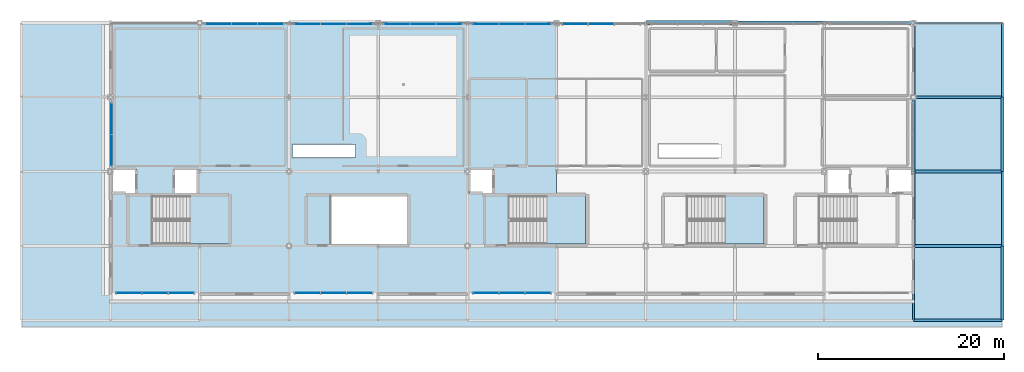
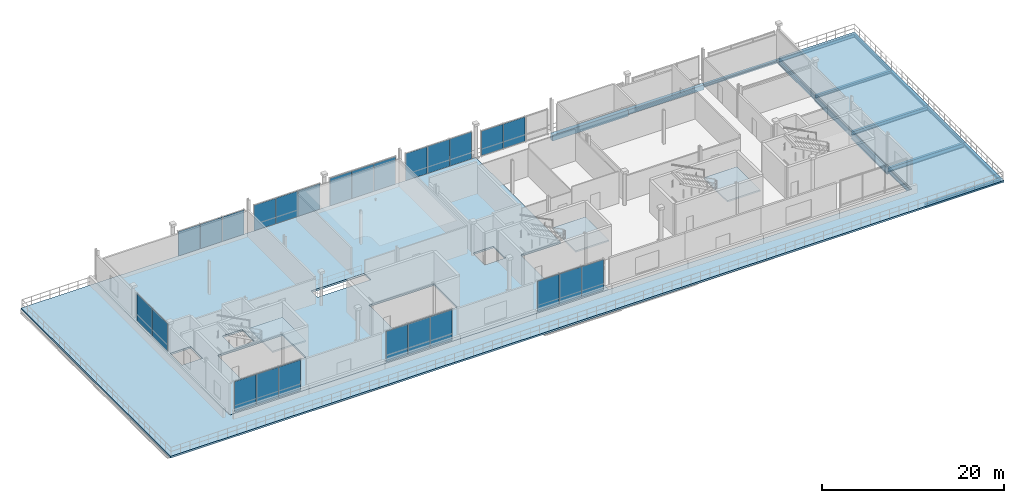
# One storey, part 14 of 26: 25 plates, 16 beams, 5 slabs, 12 elements without a shape of their own.
"""IFC4 building model written with IfcOpenShell, lengths in metres."""

from ifc_helpers import new_model, si_unit, direction, frame, origin, origin_2d, place, context, subcontext, project, spatial, polyline, rectangle, i_section, outline, extrude, material, layer, layer_set, material_profile, profile_set, type_object, element, aggregate, save


model = new_model("IFC4")

# Units and contexts
model_context = context("Model", 3, precision=1e-05, world=origin(), true_north=direction((0.0, 1.0)))
body_context = subcontext(model_context, "Body", "Model", "MODEL_VIEW")
ifc_project = project(units=[si_unit("LENGTHUNIT", "METRE"), si_unit("AREAUNIT", "SQUARE_METRE"), si_unit("VOLUMEUNIT", "CUBIC_METRE"), si_unit("PLANEANGLEUNIT", "RADIAN"), si_unit("MASSUNIT", "GRAM", prefix="KILO")], contexts=[model_context])

# Site, building, storey
site_placement = place(None, origin())
site = spatial("IfcSite", under=ifc_project, at=site_placement, CompositionType="ELEMENT")
building_placement = place(site_placement, origin())
building = spatial("IfcBuilding", under=site, at=building_placement, Name="Danafjord Basin Convention Centre", CompositionType="ELEMENT")
storey_placement = place(building_placement, frame((0.0, 0.0, 24.89990234375)))
storey = spatial("IfcBuildingStorey", under=building, at=storey_placement, Name="L05", CompositionType="ELEMENT", Elevation=24.89990234375)

# Beams
ifc_material_1 = material(Name="Steel S355", Category="steel")
ifc_material_profile_1 = material_profile(ifc_material_1, i_section(OverallWidth=0.300048828125, OverallDepth=0.389892578125, WebThickness=0.010986328125, FlangeThickness=0.01904296875, FilletRadius=0.027099609375, at=origin_2d()), Name="HEA 400")
ifc_profile_set_1 = profile_set([ifc_material_profile_1], Name="Steel S355")
beam_type_1 = type_object("IfcBeamType", Name="BEAM-BM-HEA400", PredefinedType="BEAM", material=ifc_profile_set_1)
beam_1_placement = place(storey_placement, frame((96.0, 32.0, -0.434814453125), z_axis=(1.0, 0.0, 0.0), x_axis=(0.0, 1.0, 0.0)))
element("IfcBeam", 1, at=beam_1_placement, inside=storey, type_object=beam_type_1, Name="L05 girder BM-HEA400", PredefinedType="BEAM", context=body_context, shape_type="SweptSolid", body=[
    extrude(i_section(OverallWidth=0.300048828125, OverallDepth=0.389892578125, WebThickness=0.010986328125, FlangeThickness=0.01904296875, FilletRadius=0.027099609375, at=origin_2d()), origin(), (0.0, 0.0, 1.0), 9.60009765625),
])
ifc_material_profile_2 = material_profile(ifc_material_1, i_section(OverallWidth=0.300048828125, OverallDepth=0.489990234375, WebThickness=0.011962890625, FlangeThickness=0.02294921875, FilletRadius=0.027099609375, at=origin_2d()), Name="HEA 500")
ifc_profile_set_2 = profile_set([ifc_material_profile_2], Name="Steel S355")
beam_type_2 = type_object("IfcBeamType", Name="BEAM-BM-HEA500", PredefinedType="BEAM", material=ifc_profile_set_2)
beam_2_placement = place(storey_placement, frame((96.0, 24.0, -0.48486328125), z_axis=(1.0, 0.0, 0.0), x_axis=(0.0, 1.0, 0.0)))
element("IfcBeam", 2, at=beam_2_placement, inside=storey, type_object=beam_type_2, Name="L05 girder BM-HEA500", PredefinedType="BEAM", context=body_context, shape_type="SweptSolid", body=[
    extrude(i_section(OverallWidth=0.300048828125, OverallDepth=0.489990234375, WebThickness=0.011962890625, FlangeThickness=0.02294921875, FilletRadius=0.027099609375, at=origin_2d()), origin(), (0.0, 0.0, 1.0), 9.60009765625),
])
ifc_material_profile_3 = material_profile(ifc_material_1, i_section(OverallWidth=0.300048828125, OverallDepth=0.590087890625, WebThickness=0.012939453125, FlangeThickness=0.02490234375, FilletRadius=0.027099609375, at=origin_2d()), Name="HEA 600")
ifc_profile_set_3 = profile_set([ifc_material_profile_3], Name="Steel S355")
beam_type_3 = type_object("IfcBeamType", Name="BEAM-BM-HEA600", PredefinedType="BEAM", material=ifc_profile_set_3)
beam_3_placement = place(storey_placement, frame((96.0, 16.0, -0.534912109375), z_axis=(1.0, 0.0, 0.0), x_axis=(0.0, 1.0, 0.0)))
element("IfcBeam", 3, at=beam_3_placement, inside=storey, type_object=beam_type_3, Name="L05 girder BM-HEA600", PredefinedType="BEAM", context=body_context, shape_type="SweptSolid", body=[
    extrude(i_section(OverallWidth=0.300048828125, OverallDepth=0.590087890625, WebThickness=0.012939453125, FlangeThickness=0.02490234375, FilletRadius=0.027099609375, at=origin_2d()), origin(), (0.0, 0.0, 1.0), 9.60009765625),
])
ifc_material_profile_4 = material_profile(ifc_material_1, i_section(OverallWidth=0.300048828125, OverallDepth=0.449951171875, WebThickness=0.013916015625, FlangeThickness=0.02587890625, FilletRadius=0.027099609375, at=origin_2d()), Name="HEB 450")
ifc_profile_set_4 = profile_set([ifc_material_profile_4], Name="Steel S355")
beam_type_4 = type_object("IfcBeamType", Name="BEAM-BM-HEB450", PredefinedType="BEAM", material=ifc_profile_set_4)
beam_4_placement = place(storey_placement, frame((96.0, 8.0, -0.46484375), z_axis=(1.0, 0.0, 0.0), x_axis=(0.0, 1.0, 0.0)))
element("IfcBeam", 4, at=beam_4_placement, inside=storey, type_object=beam_type_4, Name="L05 girder BM-HEB450", PredefinedType="BEAM", context=body_context, shape_type="SweptSolid", body=[
    extrude(i_section(OverallWidth=0.300048828125, OverallDepth=0.449951171875, WebThickness=0.013916015625, FlangeThickness=0.02587890625, FilletRadius=0.027099609375, at=origin_2d()), origin(), (0.0, 0.0, 1.0), 9.60009765625),
])
ifc_material_profile_5 = material_profile(ifc_material_1, i_section(OverallWidth=0.300048828125, OverallDepth=0.60009765625, WebThickness=0.015380859375, FlangeThickness=0.030029296875, FilletRadius=0.027099609375, at=origin_2d()), Name="HEB 600")
ifc_profile_set_5 = profile_set([ifc_material_profile_5], Name="Steel S355")
beam_type_5 = type_object("IfcBeamType", Name="BEAM-BM-HEB600", PredefinedType="BEAM", material=ifc_profile_set_5)
beam_5_placement = place(storey_placement, frame((96.0, 32.0, -0.5498046875), z_axis=(0.0, 1.0, 0.0), x_axis=(-1.0, 0.0, 0.0)))
element("IfcBeam", 5, at=beam_5_placement, inside=storey, type_object=beam_type_5, Name="L05 transverse girder BM-HEB600", PredefinedType="BEAM", context=body_context, shape_type="SweptSolid", body=[
    extrude(i_section(OverallWidth=0.300048828125, OverallDepth=0.60009765625, WebThickness=0.015380859375, FlangeThickness=0.030029296875, FilletRadius=0.027099609375, at=origin_2d()), origin(), (0.0, 0.0, 1.0), 8.0),
])
ifc_material_profile_6 = material_profile(ifc_material_1, i_section(OverallWidth=0.300048828125, OverallDepth=0.699951171875, WebThickness=0.01708984375, FlangeThickness=0.031982421875, FilletRadius=0.027099609375, at=origin_2d()), Name="HEB 700")
ifc_profile_set_6 = profile_set([ifc_material_profile_6], Name="Steel S355")
beam_type_6 = type_object("IfcBeamType", Name="BEAM-BM-HEB700", PredefinedType="BEAM", material=ifc_profile_set_6)
beam_6_placement = place(storey_placement, frame((96.0, 24.0, -0.599853515625), z_axis=(0.0, 1.0, 0.0), x_axis=(-1.0, 0.0, 0.0)))
element("IfcBeam", 6, at=beam_6_placement, inside=storey, type_object=beam_type_6, Name="L05 transverse girder BM-HEB700", PredefinedType="BEAM", context=body_context, shape_type="SweptSolid", body=[
    extrude(i_section(OverallWidth=0.300048828125, OverallDepth=0.699951171875, WebThickness=0.01708984375, FlangeThickness=0.031982421875, FilletRadius=0.027099609375, at=origin_2d()), origin(), (0.0, 0.0, 1.0), 8.0),
])
ifc_material_profile_7 = material_profile(ifc_material_1, i_section(OverallWidth=0.300048828125, OverallDepth=0.89990234375, WebThickness=0.0185546875, FlangeThickness=0.034912109375, FilletRadius=0.030029296875, at=origin_2d()), Name="HEB 900")
ifc_profile_set_7 = profile_set([ifc_material_profile_7], Name="Steel S355")
beam_type_7 = type_object("IfcBeamType", Name="BEAM-BM-HEB900", PredefinedType="BEAM", material=ifc_profile_set_7)
beam_7_placement = place(storey_placement, frame((96.0, 16.0, -0.699951171875), z_axis=(0.0, 1.0, 0.0), x_axis=(-1.0, 0.0, 0.0)))
element("IfcBeam", 7, at=beam_7_placement, inside=storey, type_object=beam_type_7, Name="L05 transverse girder BM-HEB900", PredefinedType="BEAM", context=body_context, shape_type="SweptSolid", body=[
    extrude(i_section(OverallWidth=0.300048828125, OverallDepth=0.89990234375, WebThickness=0.0185546875, FlangeThickness=0.034912109375, FilletRadius=0.030029296875, at=origin_2d()), origin(), (0.0, 0.0, 1.0), 8.0),
])
ifc_material_profile_8 = material_profile(ifc_material_1, i_section(OverallWidth=0.2099609375, OverallDepth=0.550048828125, WebThickness=0.010986328125, FlangeThickness=0.01708984375, FilletRadius=0.02392578125, at=origin_2d()), Name="IPE 550")
ifc_profile_set_8 = profile_set([ifc_material_profile_8], Name="Steel S355")
beam_type_8 = type_object("IfcBeamType", Name="BEAM-BM-IPE550", PredefinedType="BEAM", material=ifc_profile_set_8)
beam_8_placement = place(storey_placement, frame((96.0, 8.0, -0.52490234375), z_axis=(0.0, 1.0, 0.0), x_axis=(-1.0, 0.0, 0.0)))
element("IfcBeam", 8, at=beam_8_placement, inside=storey, type_object=beam_type_8, Name="L05 transverse girder BM-IPE550", PredefinedType="BEAM", context=body_context, shape_type="SweptSolid", body=[
    extrude(i_section(OverallWidth=0.2099609375, OverallDepth=0.550048828125, WebThickness=0.010986328125, FlangeThickness=0.01708984375, FilletRadius=0.02392578125, at=origin_2d()), origin(), (0.0, 0.0, 1.0), 8.0),
])
ifc_material_profile_9 = material_profile(ifc_material_1, i_section(OverallWidth=0.300048828125, OverallDepth=0.39990234375, WebThickness=0.013427734375, FlangeThickness=0.02392578125, FilletRadius=0.027099609375, at=origin_2d()), Name="HEB 400")
ifc_profile_set_9 = profile_set([ifc_material_profile_9], Name="Steel S355")
beam_type_9 = type_object("IfcBeamType", Name="BEAM-SP-HEB400", PredefinedType="SPANDREL", material=ifc_profile_set_9)
beam_9_placement = place(storey_placement, frame((86.39990234375, 40.0, -0.449951171875), z_axis=(1.0, 0.0, 0.0), x_axis=(0.0, 1.0, 0.0)))
element("IfcBeam", 9, at=beam_9_placement, inside=storey, type_object=beam_type_9, Name="L05 girder SP-HEB400", PredefinedType="SPANDREL", context=body_context, shape_type="SweptSolid", body=[
    extrude(i_section(OverallWidth=0.300048828125, OverallDepth=0.39990234375, WebThickness=0.013427734375, FlangeThickness=0.02392578125, FilletRadius=0.027099609375, at=origin_2d()), origin(), (0.0, 0.0, 1.0), 9.60009765625),
])
for number, where, z_axis, x_axis, name in (
    (10, (105.60009765625, 8.0, -0.43994140625), (0.0, 1.0, 0.0), (-1.0, 0.0, 0.0), "L05 transverse girder SP-HEB400"),
    (11, (105.60009765625, 24.0, -0.43994140625), (0.0, 1.0, 0.0), (-1.0, 0.0, 0.0), "L05 transverse girder SP-HEB400"),
):
    element("IfcBeam", number, at=place(storey_placement, frame(where, z_axis=z_axis, x_axis=x_axis)), inside=storey, type_object=beam_type_9, Name=name, PredefinedType="SPANDREL", context=body_context, shape_type="SweptSolid", body=[
        extrude(i_section(OverallWidth=0.300048828125, OverallDepth=0.39990234375, WebThickness=0.013427734375, FlangeThickness=0.02392578125, FilletRadius=0.027099609375, at=origin_2d()), origin(), (0.0, 0.0, 1.0), 8.0),
    ])
ifc_material_profile_10 = material_profile(ifc_material_1, i_section(OverallWidth=0.18994140625, OverallDepth=0.449951171875, WebThickness=0.009521484375, FlangeThickness=0.0146484375, FilletRadius=0.02099609375, at=origin_2d()), Name="IPE 450")
ifc_profile_set_10 = profile_set([ifc_material_profile_10], Name="Steel S355")
beam_type_10 = type_object("IfcBeamType", Name="BEAM-SP-IPE450", PredefinedType="SPANDREL", material=ifc_profile_set_10)
beam_10_placement = place(storey_placement, frame((96.0, 40.0, -0.46484375), z_axis=(1.0, 0.0, 0.0), x_axis=(0.0, 1.0, 0.0)))
element("IfcBeam", 12, at=beam_10_placement, inside=storey, type_object=beam_type_10, Name="L05 girder SP-IPE450", PredefinedType="SPANDREL", context=body_context, shape_type="SweptSolid", body=[
    extrude(i_section(OverallWidth=0.18994140625, OverallDepth=0.449951171875, WebThickness=0.009521484375, FlangeThickness=0.0146484375, FilletRadius=0.02099609375, at=origin_2d()), origin(), (0.0, 0.0, 1.0), 9.60009765625),
])
for number, where, z_axis, x_axis, name in (
    (13, (105.60009765625, 16.0, -0.46484375), (0.0, 1.0, 0.0), (-1.0, 0.0, 0.0), "L05 transverse girder SP-IPE450"),
    (14, (105.60009765625, 32.0, -0.46484375), (0.0, 1.0, 0.0), (-1.0, 0.0, 0.0), "L05 transverse girder SP-IPE450"),
):
    element("IfcBeam", number, at=place(storey_placement, frame(where, z_axis=z_axis, x_axis=x_axis)), inside=storey, type_object=beam_type_10, Name=name, PredefinedType="SPANDREL", context=body_context, shape_type="SweptSolid", body=[
        extrude(i_section(OverallWidth=0.18994140625, OverallDepth=0.449951171875, WebThickness=0.009521484375, FlangeThickness=0.0146484375, FilletRadius=0.02099609375, at=origin_2d()), origin(), (0.0, 0.0, 1.0), 8.0),
    ])
ifc_material_2 = material(Name="Precast concrete C45/55", Category="concrete")
ifc_material_profile_11 = material_profile(ifc_material_2, rectangle(XDim=0.39990234375, YDim=0.64990234375, at=origin_2d()), Name="PCB 400x650")
ifc_profile_set_11 = profile_set([ifc_material_profile_11], Name="Precast concrete C45/55")
beam_type_11 = type_object("IfcBeamType", Name="BEAM-SP-PCB650", PredefinedType="SPANDREL", material=ifc_profile_set_11)
beam_11_placement = place(storey_placement, frame((76.800048828125, 40.0, -0.574951171875), z_axis=(1.0, 0.0, 0.0), x_axis=(0.0, 1.0, 0.0)))
element("IfcBeam", 15, at=beam_11_placement, inside=storey, type_object=beam_type_11, Name="L05 girder SP-PCB650", PredefinedType="SPANDREL", context=body_context, shape_type="SweptSolid", body=[
    extrude(rectangle(XDim=0.39990234375, YDim=0.64990234375, at=origin_2d()), origin(), (0.0, 0.0, 1.0), 9.599853515625),
])
ifc_material_profile_12 = material_profile(ifc_material_2, rectangle(XDim=0.5, YDim=0.800048828125, at=origin_2d()), Name="PCB 500x800")
ifc_profile_set_12 = profile_set([ifc_material_profile_12], Name="Precast concrete C45/55")
beam_type_12 = type_object("IfcBeamType", Name="BEAM-SP-PCB800", PredefinedType="SPANDREL", material=ifc_profile_set_12)
beam_12_placement = place(storey_placement, frame((67.199951171875, 40.0, -0.64990234375), z_axis=(1.0, 0.0, 0.0), x_axis=(0.0, 1.0, 0.0)))
element("IfcBeam", 16, at=beam_12_placement, inside=storey, type_object=beam_type_12, Name="L05 girder SP-PCB800", PredefinedType="SPANDREL", context=body_context, shape_type="SweptSolid", body=[
    extrude(rectangle(XDim=0.5, YDim=0.800048828125, at=origin_2d()), origin(), (0.0, 0.0, 1.0), 9.60009765625),
])

# Curtain wall, plates
ifc_material_3 = material(Name="Anodised aluminium and triple glazing", Category="aluminium")
curtain_wall_type = type_object("IfcCurtainWallType", Name="CW-CW-TERR", PredefinedType="NOTDEFINED", material=ifc_material_3)
curtain_wall_1_placement = place(storey_placement, origin())
curtain_wall_1 = element("IfcCurtainWall", 17, at=curtain_wall_1_placement, inside=storey, type_object=curtain_wall_type, Name="L05 CW-TERR unitised curtain wall bay 38", PredefinedType="NOTDEFINED")
ifc_material_4 = material(Name="Triple low-E insulated glazing", Category="glass")
ifc_layer_1 = layer(ifc_material_4, 0.0380859375)
ifc_layer_set_1 = layer_set([ifc_layer_1], Name="Triple low-E insulated glazing")
plate_type_1 = type_object("IfcPlateType", Name="PLT-GP-38", PredefinedType="CURTAIN_PANEL", material=ifc_layer_set_1)
plate_1_placement = place(storey_placement, frame((30.800048828125, 10.919921875, 0.088134765625), z_axis=(0.0, 0.0, 1.0), x_axis=(1.0, 0.0, 0.0)))
plate_1 = element("IfcPlate", 18, at=plate_1_placement, type_object=plate_type_1, Name="CW-L05-038 vision glazing unit 1", PredefinedType="CURTAIN_PANEL", context=body_context, shape_type="SweptSolid", body=[
    extrude(rectangle(XDim=2.743896484375, YDim=0.0380859375, at=origin_2d()), origin(), (0.0, 0.0, 1.0), 4.083984375),
])
plate_2_placement = place(storey_placement, frame((33.60009765625, 10.919921875, 0.088134765625), z_axis=(0.0, 0.0, 1.0), x_axis=(1.0, 0.0, 0.0)))
plate_2 = element("IfcPlate", 19, at=plate_2_placement, type_object=plate_type_1, Name="CW-L05-038 vision glazing unit 2", PredefinedType="CURTAIN_PANEL", context=body_context, shape_type="SweptSolid", body=[
    extrude(rectangle(XDim=2.743896484375, YDim=0.0380859375, at=origin_2d()), origin(), (0.0, 0.0, 1.0), 4.083984375),
])
plate_3_placement = place(storey_placement, frame((36.39990234375, 10.919921875, 0.088134765625), z_axis=(0.0, 0.0, 1.0), x_axis=(1.0, 0.0, 0.0)))
plate_3 = element("IfcPlate", 20, at=plate_3_placement, type_object=plate_type_1, Name="CW-L05-038 vision glazing unit 3", PredefinedType="CURTAIN_PANEL", context=body_context, shape_type="SweptSolid", body=[
    extrude(rectangle(XDim=2.743896484375, YDim=0.0380859375, at=origin_2d()), origin(), (0.0, 0.0, 1.0), 4.083984375),
])
aggregate(curtain_wall_1, [plate_1, plate_2, plate_3])

curtain_wall_2_placement = place(storey_placement, origin())
curtain_wall_2 = element("IfcCurtainWall", 21, at=curtain_wall_2_placement, inside=storey, type_object=curtain_wall_type, Name="L05 CW-TERR unitised curtain wall bay 100", PredefinedType="NOTDEFINED")
plate_4_placement = place(storey_placement, frame((36.39990234375, 39.8798828125, 0.088134765625), z_axis=(0.0, 0.0, 1.0), x_axis=(-1.0, 0.0, 0.0)))
plate_4 = element("IfcPlate", 22, at=plate_4_placement, type_object=plate_type_1, Name="CW-L05-100 vision glazing unit 1", PredefinedType="CURTAIN_PANEL", context=body_context, shape_type="SweptSolid", body=[
    extrude(rectangle(XDim=2.743896484375, YDim=0.0380859375, at=origin_2d()), origin(), (0.0, 0.0, 1.0), 3.4140625),
])
plate_5_placement = place(storey_placement, frame((33.60009765625, 39.8798828125, 0.088134765625), z_axis=(0.0, 0.0, 1.0), x_axis=(-1.0, 0.0, 0.0)))
plate_5 = element("IfcPlate", 23, at=plate_5_placement, type_object=plate_type_1, Name="CW-L05-100 vision glazing unit 2", PredefinedType="CURTAIN_PANEL", context=body_context, shape_type="SweptSolid", body=[
    extrude(rectangle(XDim=2.743896484375, YDim=0.0380859375, at=origin_2d()), origin(), (0.0, 0.0, 1.0), 3.4140625),
])
plate_6_placement = place(storey_placement, frame((30.800048828125, 39.8798828125, 0.088134765625), z_axis=(0.0, 0.0, 1.0), x_axis=(-1.0, 0.0, 0.0)))
plate_6 = element("IfcPlate", 24, at=plate_6_placement, type_object=plate_type_1, Name="CW-L05-100 vision glazing unit 3", PredefinedType="CURTAIN_PANEL", context=body_context, shape_type="SweptSolid", body=[
    extrude(rectangle(XDim=2.743896484375, YDim=0.0380859375, at=origin_2d()), origin(), (0.0, 0.0, 1.0), 3.4140625),
])
aggregate(curtain_wall_2, [plate_4, plate_5, plate_6])

curtain_wall_3_placement = place(storey_placement, origin())
curtain_wall_3 = element("IfcCurtainWall", 25, at=curtain_wall_3_placement, inside=storey, type_object=curtain_wall_type, Name="L05 CW-TERR unitised curtain wall bay 102", PredefinedType="NOTDEFINED")
plate_7_placement = place(storey_placement, frame((55.60009765625, 39.8798828125, 0.087890625), z_axis=(0.0, 0.0, 1.0), x_axis=(-1.0, 0.0, 0.0)))
plate_7 = element("IfcPlate", 26, at=plate_7_placement, type_object=plate_type_1, Name="CW-L05-102 vision glazing unit 1", PredefinedType="CURTAIN_PANEL", context=body_context, shape_type="SweptSolid", body=[
    extrude(rectangle(XDim=2.743896484375, YDim=0.0380859375, at=origin_2d()), origin(), (0.0, 0.0, 1.0), 3.614013671875),
])
plate_8_placement = place(storey_placement, frame((52.800048828125, 39.8798828125, 0.087890625), z_axis=(0.0, 0.0, 1.0), x_axis=(-1.0, 0.0, 0.0)))
plate_8 = element("IfcPlate", 27, at=plate_8_placement, type_object=plate_type_1, Name="CW-L05-102 vision glazing unit 2", PredefinedType="CURTAIN_PANEL", context=body_context, shape_type="SweptSolid", body=[
    extrude(rectangle(XDim=2.743896484375, YDim=0.0380859375, at=origin_2d()), origin(), (0.0, 0.0, 1.0), 3.614013671875),
])
plate_9_placement = place(storey_placement, frame((50.0, 39.8798828125, 0.087890625), z_axis=(0.0, 0.0, 1.0), x_axis=(-1.0, 0.0, 0.0)))
plate_9 = element("IfcPlate", 28, at=plate_9_placement, type_object=plate_type_1, Name="CW-L05-102 vision glazing unit 3", PredefinedType="CURTAIN_PANEL", context=body_context, shape_type="SweptSolid", body=[
    extrude(rectangle(XDim=2.743896484375, YDim=0.0380859375, at=origin_2d()), origin(), (0.0, 0.0, 1.0), 3.614013671875),
])
aggregate(curtain_wall_3, [plate_7, plate_8, plate_9])

curtain_wall_4_placement = place(storey_placement, origin())
curtain_wall_4 = element("IfcCurtainWall", 29, at=curtain_wall_4_placement, inside=storey, type_object=curtain_wall_type, Name="L05 CW-TERR unitised curtain wall bay 37", PredefinedType="NOTDEFINED")
ifc_layer_2 = layer(ifc_material_4, 0.048095703125)
ifc_layer_set_2 = layer_set([ifc_layer_2], Name="Triple low-E insulated glazing")
plate_type_2 = type_object("IfcPlateType", Name="PLT-GP-48", PredefinedType="CURTAIN_PANEL", material=ifc_layer_set_2)
plate_10_placement = place(storey_placement, frame((11.60009765625, 10.919921875, 0.088134765625), z_axis=(0.0, 0.0, 1.0), x_axis=(1.0, 0.0, 0.0)))
plate_10 = element("IfcPlate", 30, at=plate_10_placement, type_object=plate_type_2, Name="CW-L05-037 vision glazing unit 1", PredefinedType="CURTAIN_PANEL", context=body_context, shape_type="SweptSolid", body=[
    extrude(rectangle(XDim=2.743896484375, YDim=0.048095703125, at=origin_2d()), origin(), (0.0, 0.0, 1.0), 4.083984375),
])
plate_11_placement = place(storey_placement, frame((14.39990234375, 10.919921875, 0.088134765625), z_axis=(0.0, 0.0, 1.0), x_axis=(1.0, 0.0, 0.0)))
plate_11 = element("IfcPlate", 31, at=plate_11_placement, type_object=plate_type_2, Name="CW-L05-037 vision glazing unit 2", PredefinedType="CURTAIN_PANEL", context=body_context, shape_type="SweptSolid", body=[
    extrude(rectangle(XDim=2.743896484375, YDim=0.048095703125, at=origin_2d()), origin(), (0.0, 0.0, 1.0), 4.083984375),
])
plate_12_placement = place(storey_placement, frame((17.199951171875, 10.919921875, 0.088134765625), z_axis=(0.0, 0.0, 1.0), x_axis=(1.0, 0.0, 0.0)))
plate_12 = element("IfcPlate", 32, at=plate_12_placement, type_object=plate_type_2, Name="CW-L05-037 vision glazing unit 3", PredefinedType="CURTAIN_PANEL", context=body_context, shape_type="SweptSolid", body=[
    extrude(rectangle(XDim=2.743896484375, YDim=0.048095703125, at=origin_2d()), origin(), (0.0, 0.0, 1.0), 4.083984375),
])
aggregate(curtain_wall_4, [plate_10, plate_11, plate_12])

curtain_wall_5_placement = place(storey_placement, origin())
curtain_wall_5 = element("IfcCurtainWall", 33, at=curtain_wall_5_placement, inside=storey, type_object=curtain_wall_type, Name="L05 CW-TERR unitised curtain wall bay 39", PredefinedType="NOTDEFINED")
plate_13_placement = place(storey_placement, frame((50.0, 10.919921875, 0.088134765625), z_axis=(0.0, 0.0, 1.0), x_axis=(1.0, 0.0, 0.0)))
plate_13 = element("IfcPlate", 34, at=plate_13_placement, type_object=plate_type_2, Name="CW-L05-039 vision glazing unit 1", PredefinedType="CURTAIN_PANEL", context=body_context, shape_type="SweptSolid", body=[
    extrude(rectangle(XDim=2.743896484375, YDim=0.048095703125, at=origin_2d()), origin(), (0.0, 0.0, 1.0), 4.083984375),
])
plate_14_placement = place(storey_placement, frame((52.800048828125, 10.919921875, 0.088134765625), z_axis=(0.0, 0.0, 1.0), x_axis=(1.0, 0.0, 0.0)))
plate_14 = element("IfcPlate", 35, at=plate_14_placement, type_object=plate_type_2, Name="CW-L05-039 vision glazing unit 2", PredefinedType="CURTAIN_PANEL", context=body_context, shape_type="SweptSolid", body=[
    extrude(rectangle(XDim=2.743896484375, YDim=0.048095703125, at=origin_2d()), origin(), (0.0, 0.0, 1.0), 4.083984375),
])
plate_15_placement = place(storey_placement, frame((55.60009765625, 10.919921875, 0.088134765625), z_axis=(0.0, 0.0, 1.0), x_axis=(1.0, 0.0, 0.0)))
plate_15 = element("IfcPlate", 36, at=plate_15_placement, type_object=plate_type_2, Name="CW-L05-039 vision glazing unit 3", PredefinedType="CURTAIN_PANEL", context=body_context, shape_type="SweptSolid", body=[
    extrude(rectangle(XDim=2.743896484375, YDim=0.048095703125, at=origin_2d()), origin(), (0.0, 0.0, 1.0), 4.083984375),
])
aggregate(curtain_wall_5, [plate_13, plate_14, plate_15])

curtain_wall_6_placement = place(storey_placement, origin())
curtain_wall_6 = element("IfcCurtainWall", 37, at=curtain_wall_6_placement, inside=storey, type_object=curtain_wall_type, Name="L05 CW-TERR unitised curtain wall bay 99", PredefinedType="NOTDEFINED")
plate_16_placement = place(storey_placement, frame((26.800048828125, 39.8798828125, 0.08837890625), z_axis=(0.0, 0.0, 1.0), x_axis=(-1.0, 0.0, 0.0)))
plate_16 = element("IfcPlate", 38, at=plate_16_placement, type_object=plate_type_2, Name="CW-L05-099 vision glazing unit 1", PredefinedType="CURTAIN_PANEL", context=body_context, shape_type="SweptSolid", body=[
    extrude(rectangle(XDim=2.743896484375, YDim=0.048095703125, at=origin_2d()), origin(), (0.0, 0.0, 1.0), 3.263916015625),
])
plate_17_placement = place(storey_placement, frame((24.0, 39.8798828125, 0.08837890625), z_axis=(0.0, 0.0, 1.0), x_axis=(-1.0, 0.0, 0.0)))
plate_17 = element("IfcPlate", 39, at=plate_17_placement, type_object=plate_type_2, Name="CW-L05-099 vision glazing unit 2", PredefinedType="CURTAIN_PANEL", context=body_context, shape_type="SweptSolid", body=[
    extrude(rectangle(XDim=2.743896484375, YDim=0.048095703125, at=origin_2d()), origin(), (0.0, 0.0, 1.0), 3.263916015625),
])
plate_18_placement = place(storey_placement, frame((21.199951171875, 39.8798828125, 0.08837890625), z_axis=(0.0, 0.0, 1.0), x_axis=(-1.0, 0.0, 0.0)))
plate_18 = element("IfcPlate", 40, at=plate_18_placement, type_object=plate_type_2, Name="CW-L05-099 vision glazing unit 3", PredefinedType="CURTAIN_PANEL", context=body_context, shape_type="SweptSolid", body=[
    extrude(rectangle(XDim=2.743896484375, YDim=0.048095703125, at=origin_2d()), origin(), (0.0, 0.0, 1.0), 3.263916015625),
])
aggregate(curtain_wall_6, [plate_16, plate_17, plate_18])

curtain_wall_7_placement = place(storey_placement, origin())
curtain_wall_7 = element("IfcCurtainWall", 41, at=curtain_wall_7_placement, inside=storey, type_object=curtain_wall_type, Name="L05 CW-TERR unitised curtain wall bay 101", PredefinedType="NOTDEFINED")
plate_19_placement = place(storey_placement, frame((46.0, 39.8798828125, 0.088134765625), z_axis=(0.0, 0.0, 1.0), x_axis=(-1.0, 0.0, 0.0)))
plate_19 = element("IfcPlate", 42, at=plate_19_placement, type_object=plate_type_2, Name="CW-L05-101 vision glazing unit 1", PredefinedType="CURTAIN_PANEL", context=body_context, shape_type="SweptSolid", body=[
    extrude(rectangle(XDim=2.743896484375, YDim=0.048095703125, at=origin_2d()), origin(), (0.0, 0.0, 1.0), 3.6640625),
])
plate_20_placement = place(storey_placement, frame((43.199951171875, 39.8798828125, 0.088134765625), z_axis=(0.0, 0.0, 1.0), x_axis=(-1.0, 0.0, 0.0)))
plate_20 = element("IfcPlate", 43, at=plate_20_placement, type_object=plate_type_2, Name="CW-L05-101 vision glazing unit 2", PredefinedType="CURTAIN_PANEL", context=body_context, shape_type="SweptSolid", body=[
    extrude(rectangle(XDim=2.743896484375, YDim=0.048095703125, at=origin_2d()), origin(), (0.0, 0.0, 1.0), 3.6640625),
])
plate_21_placement = place(storey_placement, frame((40.39990234375, 39.8798828125, 0.088134765625), z_axis=(0.0, 0.0, 1.0), x_axis=(-1.0, 0.0, 0.0)))
plate_21 = element("IfcPlate", 44, at=plate_21_placement, type_object=plate_type_2, Name="CW-L05-101 vision glazing unit 3", PredefinedType="CURTAIN_PANEL", context=body_context, shape_type="SweptSolid", body=[
    extrude(rectangle(XDim=2.743896484375, YDim=0.048095703125, at=origin_2d()), origin(), (0.0, 0.0, 1.0), 3.6640625),
])
aggregate(curtain_wall_7, [plate_19, plate_20, plate_21])

curtain_wall_8_placement = place(storey_placement, origin())
curtain_wall_8 = element("IfcCurtainWall", 45, at=curtain_wall_8_placement, inside=storey, type_object=curtain_wall_type, Name="L05 CW-TERR unitised curtain wall bay 103", PredefinedType="NOTDEFINED")
plate_22_placement = place(storey_placement, frame((62.39990234375, 39.8798828125, 0.08837890625), z_axis=(0.0, 0.0, 1.0), x_axis=(-1.0, 0.0, 0.0)))
plate_22 = element("IfcPlate", 46, at=plate_22_placement, type_object=plate_type_2, Name="CW-L05-103 vision glazing unit 2", PredefinedType="CURTAIN_PANEL", context=body_context, shape_type="SweptSolid", body=[
    extrude(rectangle(XDim=2.743896484375, YDim=0.048095703125, at=origin_2d()), origin(), (0.0, 0.0, 1.0), 3.263916015625),
])
plate_23_placement = place(storey_placement, frame((59.60009765625, 39.8798828125, 0.08837890625), z_axis=(0.0, 0.0, 1.0), x_axis=(-1.0, 0.0, 0.0)))
plate_23 = element("IfcPlate", 47, at=plate_23_placement, type_object=plate_type_2, Name="CW-L05-103 vision glazing unit 3", PredefinedType="CURTAIN_PANEL", context=body_context, shape_type="SweptSolid", body=[
    extrude(rectangle(XDim=2.743896484375, YDim=0.048095703125, at=origin_2d()), origin(), (0.0, 0.0, 1.0), 3.263916015625),
])
aggregate(curtain_wall_8, [plate_22, plate_23])

curtain_wall_9_placement = place(storey_placement, origin())
curtain_wall_9 = element("IfcCurtainWall", 48, at=curtain_wall_9_placement, inside=storey, type_object=curtain_wall_type, Name="L05 CW-TERR unitised curtain wall bay 107", PredefinedType="NOTDEFINED")
plate_24_placement = place(storey_placement, frame((9.719970703125, 29.699951171875, 0.088134765625), z_axis=(0.0, 0.0, 1.0), x_axis=(0.0, -1.0, 0.0)))
plate_24 = element("IfcPlate", 49, at=plate_24_placement, type_object=plate_type_2, Name="CW-L05-107 vision glazing unit 1", PredefinedType="CURTAIN_PANEL", context=body_context, shape_type="SweptSolid", body=[
    extrude(rectangle(XDim=3.343994140625, YDim=0.048095703125, at=origin_2d()), origin(), (0.0, 0.0, 1.0), 3.6640625),
])
plate_25_placement = place(storey_placement, frame((9.719970703125, 26.300048828125, 0.088134765625), z_axis=(0.0, 0.0, 1.0), x_axis=(0.0, -1.0, 0.0)))
plate_25 = element("IfcPlate", 50, at=plate_25_placement, type_object=plate_type_2, Name="CW-L05-107 vision glazing unit 2", PredefinedType="CURTAIN_PANEL", context=body_context, shape_type="SweptSolid", body=[
    extrude(rectangle(XDim=3.343994140625, YDim=0.048095703125, at=origin_2d()), origin(), (0.0, 0.0, 1.0), 3.6640625),
])
aggregate(curtain_wall_9, [plate_24, plate_25])

# Slab
ifc_material_5 = material(Name="Concrete C35/45", Category="concrete")
ifc_layer_3 = layer(ifc_material_5, 0.25)
ifc_layer_set_3 = layer_set([ifc_layer_3], Name="Concrete C35/45")
slab_type_1 = type_object("IfcSlabType", Name="SLAB-FS-250", PredefinedType="FLOOR", material=ifc_layer_set_3)
slab_1_placement = place(storey_placement, frame((0.0, 0.0, -0.25)))
element("IfcSlab", 51, at=slab_1_placement, inside=storey, type_object=slab_type_1, Name="L05 FS-250 slab SL-L05-V4W", PredefinedType="FLOOR", context=body_context, shape_type="SweptSolid", body=[
    extrude(outline(polyline([(57.60009765625, 40.0), (57.60009765625, 21.35009765625), (52.530029296875, 21.35009765625), (52.530029296875, 16.2099609375), (57.60009765625, 16.2099609375), (57.60009765625, 10.800048828125), (9.60009765625, 10.800048828125), (9.60009765625, 40.0), (57.60009765625, 40.0)]), holes=[polyline([(48.199951171875, 24.300048828125), (48.199951171875, 21.699951171875), (50.800048828125, 21.699951171875), (50.800048828125, 24.300048828125), (48.199951171875, 24.300048828125)]), polyline([(33.330078125, 16.2099609375), (41.530029296875, 16.2099609375), (41.530029296875, 21.35009765625), (33.330078125, 21.35009765625), (33.330078125, 16.2099609375)]), polyline([(29.199951171875, 26.89990234375), (29.199951171875, 25.5), (35.949951171875, 25.5), (35.949951171875, 26.89990234375), (29.199951171875, 26.89990234375)]), polyline([(22.330078125, 16.2099609375), (22.330078125, 21.35009765625), (14.1298828125, 21.35009765625), (14.1298828125, 16.2099609375), (22.330078125, 16.2099609375)]), polyline([(19.0, 21.699951171875), (19.0, 24.300048828125), (16.39990234375, 24.300048828125), (16.39990234375, 21.699951171875), (19.0, 21.699951171875)]), polyline([(12.39990234375, 24.300048828125), (9.800048828125, 24.300048828125), (9.800048828125, 21.699951171875), (12.39990234375, 21.699951171875), (12.39990234375, 24.300048828125)])]), origin(), (0.0, 0.0, 1.0), 0.25),
])

# Stair, slab
ifc_material_6 = material(Name="Concrete C40/50", Category="concrete")
stair_type = type_object("IfcStairType", Name="STAIR-STR-C01", PredefinedType="TWO_STRAIGHT_RUN_STAIR", material=ifc_material_6)
stair_1_placement = place(storey_placement, origin())
stair_1 = element("IfcStair", 52, at=stair_1_placement, inside=storey, type_object=stair_type, Name="L05 West Harbour Core Stair 1", PredefinedType="HALF_TURN_STAIR")
ifc_layer_4 = layer(ifc_material_6, 0.199951171875)
ifc_layer_set_4 = layer_set([ifc_layer_4], Name="Concrete C40/50")
slab_type_2 = type_object("IfcSlabType", Name="SLAB-LAND-200", PredefinedType="LANDING", material=ifc_layer_set_4)
slab_2_placement = place(storey_placement, frame((0.0, 0.0, 2.050048828125)))
slab_2 = element("IfcSlab", 53, at=slab_2_placement, type_object=slab_type_2, Name="ST-01 landing 1", PredefinedType="LANDING", context=body_context, shape_type="SweptSolid", body=[
    extrude(outline(polyline([(18.14501953125, 16.2099609375), (22.330078125, 16.2099609375), (22.330078125, 21.35009765625), (18.14501953125, 21.35009765625), (18.14501953125, 16.2099609375)])), origin(), (0.0, 0.0, 1.0), 0.199951171875),
])
aggregate(stair_1, [slab_2])

stair_2_placement = place(storey_placement, origin())
stair_2 = element("IfcStair", 54, at=stair_2_placement, inside=storey, type_object=stair_type, Name="L05 Mid-Arc Meeting Core Stair 1", PredefinedType="HALF_TURN_STAIR")
slab_3_placement = place(storey_placement, frame((0.0, 0.0, 2.050048828125)))
slab_3 = element("IfcSlab", 55, at=slab_3_placement, type_object=slab_type_2, Name="ST-05 landing 1", PredefinedType="LANDING", context=body_context, shape_type="SweptSolid", body=[
    extrude(outline(polyline([(56.544921875, 16.2099609375), (60.72998046875, 16.2099609375), (60.72998046875, 21.35009765625), (56.544921875, 21.35009765625), (56.544921875, 16.2099609375)])), origin(), (0.0, 0.0, 1.0), 0.199951171875),
])
aggregate(stair_2, [slab_3])

stair_3_placement = place(storey_placement, origin())
stair_3 = element("IfcStair", 56, at=stair_3_placement, inside=storey, type_object=stair_type, Name="L05 Mid-Arc Escape Stair 2", PredefinedType="HALF_TURN_STAIR")
slab_4_placement = place(storey_placement, frame((0.0, 0.0, 2.050048828125)))
slab_4 = element("IfcSlab", 57, at=slab_4_placement, type_object=slab_type_2, Name="ST-06 landing 1", PredefinedType="LANDING", context=body_context, shape_type="SweptSolid", body=[
    extrude(outline(polyline([(75.7451171875, 16.2099609375), (79.929931640625, 16.2099609375), (79.929931640625, 21.35009765625), (75.7451171875, 21.35009765625), (75.7451171875, 16.2099609375)])), origin(), (0.0, 0.0, 1.0), 0.199951171875),
])
aggregate(stair_3, [slab_4])

# Slab
ifc_material_7 = material(Name="Precast concrete C40/50", Category="concrete")
ifc_layer_5 = layer(ifc_material_7, 0.239990234375)
ifc_layer_set_5 = layer_set([ifc_layer_5], Name="Precast concrete C40/50")
slab_type_3 = type_object("IfcSlabType", Name="SLAB-TR-235", PredefinedType="FLOOR", material=ifc_layer_set_5)
slab_5_placement = place(storey_placement, frame((0.0, 0.0, -0.239990234375)))
element("IfcSlab", 58, at=slab_5_placement, inside=storey, type_object=slab_type_3, Name="L05 TR-235 slab SL-L05-TER-U", PredefinedType="FLOOR", context=body_context, shape_type="SweptSolid", body=[
    extrude(outline(polyline([(0.0, 7.199951171875), (0.0, 40.0), (9.60009765625, 40.0), (9.60009765625, 10.800048828125), (96.0, 10.800048828125), (96.0, 40.0), (105.60009765625, 40.0), (105.60009765625, 7.199951171875), (0.0, 7.199951171875)])), origin(), (0.0, 0.0, 1.0), 0.239990234375),
])

save(model, "model.ifc")
